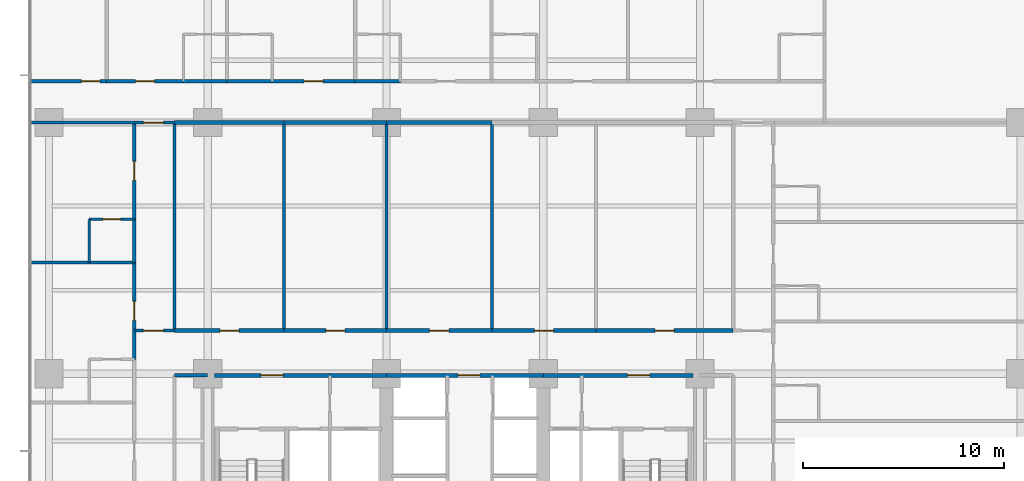
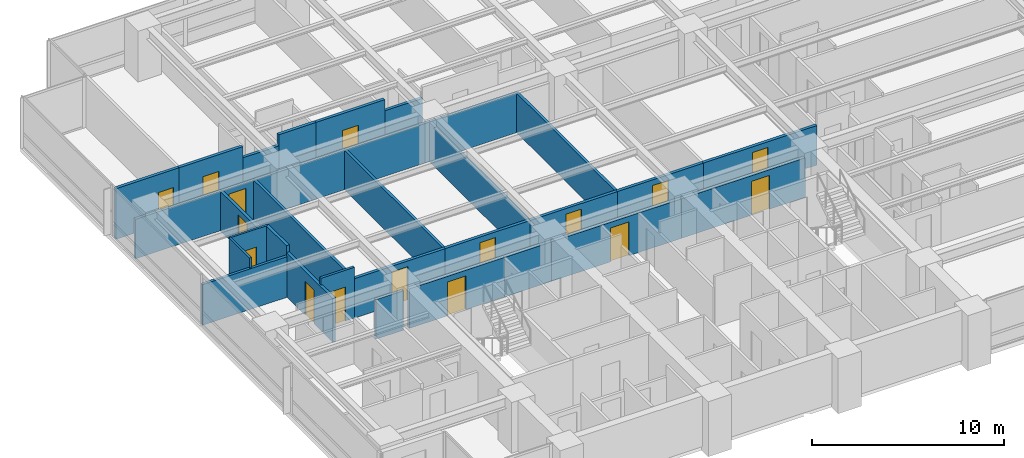
# One storey, part 9 of 16: 32 walls, 16 doors, 16 openings.
"""IFC4 building model written with IfcOpenShell, lengths in metres."""

from ifc_helpers import new_model, si_unit, direction, frame, frame_2d, origin, place, context, subcontext, project, spatial, rectangle, extrude, material, layer, layer_set, type_object, element, fill, save


model = new_model("IFC4")

# Units and contexts
model_context = context("Model", 3, precision=1e-05, world=origin(), true_north=direction((0.0, 1.0)))
body_context = subcontext(model_context, "Body", "Model", "MODEL_VIEW")
ifc_project = project(units=[si_unit("LENGTHUNIT", "METRE"), si_unit("AREAUNIT", "SQUARE_METRE"), si_unit("VOLUMEUNIT", "CUBIC_METRE"), si_unit("PLANEANGLEUNIT", "RADIAN"), si_unit("MASSUNIT", "GRAM", prefix="KILO")], contexts=[model_context])

# Site, building, storey
site_placement = place(None, origin())
site = spatial("IfcSite", under=ifc_project, at=site_placement, CompositionType="ELEMENT")
building_placement = place(site_placement, origin())
building = spatial("IfcBuilding", under=site, at=building_placement, Name="Qalmaran Belvedere Hotel", CompositionType="ELEMENT")
storey_placement = place(building_placement, frame((0.0, 0.0, 36.89990234375)))
storey = spatial("IfcBuildingStorey", under=building, at=storey_placement, Name="L08", CompositionType="ELEMENT", Elevation=36.89990234375)

# Wall, opening, door
ifc_material_1 = material(Name="Moisture-Resistant Gypsum")
ifc_layer_1 = layer(ifc_material_1, 0.1201171875, Name="Moisture-Resistant Gypsum")
ifc_layer_set_1 = layer_set([ifc_layer_1], Name="Moisture-Resistant Gypsum")
wall_type_1 = type_object("IfcWallType", Name="WL-INT-120-BATH", PredefinedType="PARTITIONING", material=ifc_layer_set_1)
wall_1_placement = place(storey_placement, frame((14.39990234375, 28.183349609375, 0.0), z_axis=(0.0, 0.0, 1.0), x_axis=(1.0, 0.0, 0.0)))
wall_1 = element("IfcWall", 1, at=wall_1_placement, inside=storey, type_object=wall_type_1, Name="L08 Partition WL-L08-WBN02", PredefinedType="PARTITIONING", context=body_context, shape_type="SweptSolid", body=[
    extrude(rectangle(XDim=2.25, YDim=0.1201171875, at=frame_2d((1.125, 0.0))), origin(), (0.0, 0.0, 1.0), 3.22021484375),
])
opening_1_placement = place(wall_1_placement, frame((1.56494140625, 0.0, 0.0), z_axis=(0.0, 0.0, 1.0), x_axis=(-1.0, 0.0, 0.0)))
opening_1 = element("IfcOpeningElement", 2, at=opening_1_placement, cuts=wall_1, Name="Opening D-BATH", PredefinedType="OPENING", context=body_context, shape_type="SweptSolid", body=[
    extrude(rectangle(XDim=0.8798828125, YDim=2.080078125, at=frame_2d((0.43994140625, 1.0400390625))), frame((0.0, 0.070068359375, 0.0), z_axis=(0.0, -1.0, 0.0), x_axis=(1.0, 0.0, 0.0)), (0.0, 0.0, 1.0), 0.14013671875),
])
ifc_material_2 = material(Name="Engineered Oak Veneer")
door_type_1 = type_object("IfcDoorType", Name="DR-INT-BATH-880X2080", OperationType="NOTDEFINED", PredefinedType="DOOR", material=ifc_material_2)
door_1_placement = place(opening_1_placement, origin())
door_1 = element("IfcDoor", 3, at=door_1_placement, inside=storey, type_object=door_type_1, Name="L08 W Ensuite Door 03", OperationType="SINGLE_SWING_RIGHT", OverallHeight=2.080078125, OverallWidth=0.8798828125, PredefinedType="DOOR", context=body_context, shape_type="SweptSolid", body=[
    extrude(rectangle(XDim=0.8798828125, YDim=2.080078125, at=frame_2d((0.43994140625, 1.0400390625))), frame((0.0, 0.02490234375, 0.0), z_axis=(0.0, -1.0, 0.0), x_axis=(1.0, 0.0, 0.0)), (0.0, 0.0, 1.0), 0.050048828125),
])
fill(opening_1, door_1)

# Wall
wall_2_placement = place(storey_placement, frame((14.39990234375, 26.033203125, 0.0), z_axis=(0.0, 0.0, 1.0), x_axis=(0.0, 1.0, 0.0)))
element("IfcWall", 4, at=wall_2_placement, inside=storey, type_object=wall_type_1, Name="L08 Partition WL-L08-WBS02", PredefinedType="PARTITIONING", context=body_context, shape_type="SweptSolid", body=[
    extrude(rectangle(XDim=2.150146484375, YDim=0.1201171875, at=frame_2d((1.0751953125, 0.0))), origin(), (0.0, 0.0, 1.0), 3.22021484375),
])

# Wall, opening, door
ifc_material_3 = material(Name="Gypsum Stud Partition")
ifc_layer_2 = layer(ifc_material_3, 0.14990234375, Name="Gypsum Stud Partition")
ifc_layer_set_2 = layer_set([ifc_layer_2], Name="Gypsum Stud Partition")
wall_type_2 = type_object("IfcWallType", Name="WL-INT-150-EI60", PredefinedType="PARTITIONING", material=ifc_layer_set_2)
wall_3_placement = place(storey_placement, frame((16.64990234375, 22.64990234375, 0.0), z_axis=(0.0, 0.0, 1.0), x_axis=(1.0, 0.0, 0.0)))
wall_3 = element("IfcWall", 5, at=wall_3_placement, inside=storey, type_object=wall_type_2, Name="L08 Partition WL-L08-XCW1", PredefinedType="PARTITIONING", context=body_context, shape_type="SweptSolid", body=[
    extrude(rectangle(XDim=2.0, YDim=0.14990234375, at=frame_2d((1.0, 0.0))), origin(), (0.0, 0.0, 1.0), 3.22021484375),
])
opening_2_placement = place(wall_3_placement, frame((0.449951171875, 0.0, 0.0)))
opening_2 = element("IfcOpeningElement", 6, at=opening_2_placement, cuts=wall_3, Name="Opening FD90B", PredefinedType="OPENING", context=body_context, shape_type="SweptSolid", body=[
    extrude(rectangle(XDim=1.0, YDim=2.14990234375, at=frame_2d((0.5, 1.074951171875))), frame((0.0, 0.0849609375, 0.0), z_axis=(0.0, -1.0, 0.0), x_axis=(1.0, 0.0, 0.0)), (0.0, 0.0, 1.0), 0.169921875),
])
ifc_material_4 = material(Name="Steel S355JR", Category="steel")
door_type_2 = type_object("IfcDoorType", Name="DR-FD90B-1000X2150", OperationType="NOTDEFINED", PredefinedType="DOOR", material=ifc_material_4)
door_2_placement = place(opening_2_placement, origin())
door_2 = element("IfcDoor", 7, at=door_2_placement, inside=storey, type_object=door_type_2, Name="L08 West Corridor Smoke Door S", OperationType="SINGLE_SWING_LEFT", OverallHeight=2.14990234375, OverallWidth=1.0, PredefinedType="DOOR", context=body_context, shape_type="SweptSolid", body=[
    extrude(rectangle(XDim=1.0, YDim=2.14990234375, at=frame_2d((0.5, 1.074951171875))), frame((0.0, 0.02490234375, 0.0), z_axis=(0.0, -1.0, 0.0), x_axis=(1.0, 0.0, 0.0)), (0.0, 0.0, 1.0), 0.050048828125),
])
fill(opening_2, door_2)

wall_4_placement = place(storey_placement, frame((16.64990234375, 33.0, 0.0), z_axis=(0.0, 0.0, 1.0), x_axis=(1.0, 0.0, 0.0)))
wall_4 = element("IfcWall", 8, at=wall_4_placement, inside=storey, type_object=wall_type_2, Name="L08 Partition WL-L08-XCW2", PredefinedType="PARTITIONING", context=body_context, shape_type="SweptSolid", body=[
    extrude(rectangle(XDim=2.0, YDim=0.14990234375, at=frame_2d((1.0, 0.0))), origin(), (0.0, 0.0, 1.0), 2.510009765625),
])
opening_3_placement = place(wall_4_placement, frame((0.449951171875, 0.0, 0.0)))
opening_3 = element("IfcOpeningElement", 9, at=opening_3_placement, cuts=wall_4, Name="Opening FD90B", PredefinedType="OPENING", context=body_context, shape_type="SweptSolid", body=[
    extrude(rectangle(XDim=1.0, YDim=2.14990234375, at=frame_2d((0.5, 1.074951171875))), frame((0.0, 0.0849609375, 0.0), z_axis=(0.0, -1.0, 0.0), x_axis=(1.0, 0.0, 0.0)), (0.0, 0.0, 1.0), 0.169921875),
])
door_3_placement = place(opening_3_placement, origin())
door_3 = element("IfcDoor", 10, at=door_3_placement, inside=storey, type_object=door_type_2, Name="L08 West Corridor Smoke Door N", OperationType="SINGLE_SWING_RIGHT", OverallHeight=2.14990234375, OverallWidth=1.0, PredefinedType="DOOR", context=body_context, shape_type="SweptSolid", body=[
    extrude(rectangle(XDim=1.0, YDim=2.14990234375, at=frame_2d((0.5, 1.074951171875))), frame((0.0, 0.02490234375, 0.0), z_axis=(0.0, -1.0, 0.0), x_axis=(1.0, 0.0, 0.0)), (0.0, 0.0, 1.0), 0.050048828125),
])
fill(opening_3, door_3)

# Walls
ifc_layer_3 = layer(ifc_material_3, 0.159912109375, Name="Gypsum Stud Partition")
ifc_layer_set_3 = layer_set([ifc_layer_3], Name="Gypsum Stud Partition")
wall_type_3 = type_object("IfcWallType", Name="WL-INT-160-EI60", PredefinedType="PARTITIONING", material=ifc_layer_set_3)
wall_5_placement = place(storey_placement, frame((18.64990234375, 20.419921875, 0.0), z_axis=(0.0, 0.0, 1.0), x_axis=(1.0, 0.0, 0.0)))
element("IfcWall", 11, at=wall_5_placement, inside=storey, type_object=wall_type_3, Name="L08 Partition WL-L08-WCLN", PredefinedType="PARTITIONING", context=body_context, shape_type="SweptSolid", body=[
    extrude(rectangle(XDim=1.650146484375, YDim=0.159912109375, at=frame_2d((0.8251953125, 0.0))), origin(), (0.0, 0.0, 1.0), 2.510009765625),
])
for number, where, z_axis, x_axis, name in (
    (12, (18.64990234375, 22.64990234375, 0.0), (0.0, 0.0, 1.0), (0.0, 1.0, 0.0), "L08 Partition WL-L08-MIDVL"),
    (13, (24.10009765625, 22.64990234375, 0.0), (0.0, 0.0, 1.0), (0.0, 1.0, 0.0), "L08 Partition WL-L08-MIDVR1"),
    (14, (29.199951171875, 22.64990234375, 0.0), (0.0, 0.0, 1.0), (0.0, 1.0, 0.0), "L08 Partition WL-L08-MIDVR2"),
    (15, (34.449951171875, 22.64990234375, 0.0), (0.0, 0.0, 1.0), (0.0, 1.0, 0.0), "L08 Partition WL-L08-MIDVR3"),
):
    element("IfcWall", number, at=place(storey_placement, frame(where, z_axis=z_axis, x_axis=x_axis)), inside=storey, type_object=wall_type_3, Name=name, PredefinedType="PARTITIONING", context=body_context, shape_type="SweptSolid", body=[
        extrude(rectangle(XDim=10.35009765625, YDim=0.159912109375, at=frame_2d((5.175048828125, 0.0))), origin(), (0.0, 0.0, 1.0), 2.510009765625),
    ])
wall_6_placement = place(storey_placement, frame((11.469970703125, 26.033203125, 0.0), z_axis=(0.0, 0.0, 1.0), x_axis=(1.0, 0.0, 0.0)))
element("IfcWall", 16, at=wall_6_placement, inside=storey, type_object=wall_type_3, Name="L08 Partition WL-L08-WU01", PredefinedType="PARTITIONING", context=body_context, shape_type="SweptSolid", body=[
    extrude(rectangle(XDim=5.179931640625, YDim=0.159912109375, at=frame_2d((2.58984375, 0.0))), origin(), (0.0, 0.0, 1.0), 2.5830078125),
])
wall_7_placement = place(storey_placement, frame((11.469970703125, 33.0, 0.0), z_axis=(0.0, 0.0, 1.0), x_axis=(1.0, 0.0, 0.0)))
element("IfcWall", 17, at=wall_7_placement, inside=storey, type_object=wall_type_3, Name="L08 Partition WL-L08-WU02", PredefinedType="PARTITIONING", context=body_context, shape_type="SweptSolid", body=[
    extrude(rectangle(XDim=5.179931640625, YDim=0.159912109375, at=frame_2d((2.58984375, 0.0))), origin(), (0.0, 0.0, 1.0), 2.510009765625),
])

# Wall, opening, door
ifc_layer_4 = layer(ifc_material_3, 0.179931640625, Name="Gypsum Stud Partition")
ifc_layer_set_4 = layer_set([ifc_layer_4], Name="Gypsum Stud Partition")
wall_type_4 = type_object("IfcWallType", Name="WL-INT-180-EI60", PredefinedType="PARTITIONING", material=ifc_layer_set_4)
wall_8_placement = place(storey_placement, frame((18.64990234375, 22.64990234375, 0.0), z_axis=(0.0, 0.0, 1.0), x_axis=(1.0, 0.0, 0.0)))
wall_8 = element("IfcWall", 18, at=wall_8_placement, inside=storey, type_object=wall_type_4, Name="L08 Partition WL-L08-MIDD1", PredefinedType="PARTITIONING", context=body_context, shape_type="SweptSolid", body=[
    extrude(rectangle(XDim=5.4501953125, YDim=0.179931640625, at=frame_2d((2.72509765625, 0.0))), origin(), (0.0, 0.0, 1.0), 2.510009765625),
])
opening_4_placement = place(wall_8_placement, frame((2.25, 0.0, 0.0)))
opening_4 = element("IfcOpeningElement", 19, at=opening_4_placement, cuts=wall_8, Name="Opening FD60", PredefinedType="OPENING", context=body_context, shape_type="SweptSolid", body=[
    extrude(rectangle(XDim=0.949951171875, YDim=2.14990234375, at=frame_2d((0.47509765625, 1.074951171875))), frame((0.0, 0.10009765625, 0.0), z_axis=(0.0, -1.0, 0.0), x_axis=(1.0, 0.0, 0.0)), (0.0, 0.0, 1.0), 0.199951171875),
])
door_type_3 = type_object("IfcDoorType", Name="DR-FD60-950X2150", OperationType="NOTDEFINED", PredefinedType="DOOR", material=ifc_material_2)
door_4_placement = place(opening_4_placement, origin())
door_4 = element("IfcDoor", 20, at=door_4_placement, inside=storey, type_object=door_type_3, Name="L08 Housekeeping and Linen Room Door", OperationType="SINGLE_SWING_LEFT", OverallHeight=2.14990234375, OverallWidth=0.949951171875, PredefinedType="DOOR", context=body_context, shape_type="SweptSolid", body=[
    extrude(rectangle(XDim=0.949951171875, YDim=2.14990234375, at=frame_2d((0.47509765625, 1.074951171875))), frame((0.0, 0.02490234375, 0.0), z_axis=(0.0, -1.0, 0.0), x_axis=(1.0, 0.0, 0.0)), (0.0, 0.0, 1.0), 0.050048828125),
])
fill(opening_4, door_4)

# Wall
wall_9_placement = place(storey_placement, frame((18.64990234375, 33.0, 0.0), z_axis=(0.0, 0.0, 1.0), x_axis=(1.0, 0.0, 0.0)))
element("IfcWall", 21, at=wall_9_placement, inside=storey, type_object=wall_type_4, Name="L08 Partition WL-L08-MIDO1", PredefinedType="PARTITIONING", context=body_context, shape_type="SweptSolid", body=[
    extrude(rectangle(XDim=5.4501953125, YDim=0.179931640625, at=frame_2d((2.72509765625, 0.0))), origin(), (0.0, 0.0, 1.0), 2.510009765625),
])

# Wall, opening, door
wall_10_placement = place(storey_placement, frame((24.10009765625, 22.64990234375, 0.0), z_axis=(0.0, 0.0, 1.0), x_axis=(1.0, 0.0, 0.0)))
wall_10 = element("IfcWall", 22, at=wall_10_placement, inside=storey, type_object=wall_type_4, Name="L08 Partition WL-L08-MIDD2", PredefinedType="PARTITIONING", context=body_context, shape_type="SweptSolid", body=[
    extrude(rectangle(XDim=5.099853515625, YDim=0.179931640625, at=frame_2d((2.5498046875, 0.0))), origin(), (0.0, 0.0, 1.0), 2.510009765625),
])
opening_5_placement = place(wall_10_placement, frame((2.074951171875, 0.0, 0.0)))
opening_5 = element("IfcOpeningElement", 23, at=opening_5_placement, cuts=wall_10, Name="Opening FD60", PredefinedType="OPENING", context=body_context, shape_type="SweptSolid", body=[
    extrude(rectangle(XDim=0.949951171875, YDim=2.14990234375, at=frame_2d((0.47509765625, 1.074951171875))), frame((0.0, 0.10009765625, 0.0), z_axis=(0.0, -1.0, 0.0), x_axis=(1.0, 0.0, 0.0)), (0.0, 0.0, 1.0), 0.199951171875),
])
door_5_placement = place(opening_5_placement, origin())
door_5 = element("IfcDoor", 24, at=door_5_placement, inside=storey, type_object=door_type_3, Name="L08 Yoga Spa Door", OperationType="SINGLE_SWING_RIGHT", OverallHeight=2.14990234375, OverallWidth=0.949951171875, PredefinedType="DOOR", context=body_context, shape_type="SweptSolid", body=[
    extrude(rectangle(XDim=0.949951171875, YDim=2.14990234375, at=frame_2d((0.47509765625, 1.074951171875))), frame((0.0, 0.02490234375, 0.0), z_axis=(0.0, -1.0, 0.0), x_axis=(1.0, 0.0, 0.0)), (0.0, 0.0, 1.0), 0.050048828125),
])
fill(opening_5, door_5)

# Wall
wall_11_placement = place(storey_placement, frame((24.10009765625, 33.0, 0.0), z_axis=(0.0, 0.0, 1.0), x_axis=(1.0, 0.0, 0.0)))
element("IfcWall", 25, at=wall_11_placement, inside=storey, type_object=wall_type_4, Name="L08 Partition WL-L08-MIDO2", PredefinedType="PARTITIONING", context=body_context, shape_type="SweptSolid", body=[
    extrude(rectangle(XDim=5.099853515625, YDim=0.179931640625, at=frame_2d((2.5498046875, 0.0))), origin(), (0.0, 0.0, 1.0), 2.510009765625),
])

# Wall, opening, door
wall_12_placement = place(storey_placement, frame((29.199951171875, 22.64990234375, 0.0), z_axis=(0.0, 0.0, 1.0), x_axis=(1.0, 0.0, 0.0)))
wall_12 = element("IfcWall", 26, at=wall_12_placement, inside=storey, type_object=wall_type_4, Name="L08 Partition WL-L08-MIDD3", PredefinedType="PARTITIONING", context=body_context, shape_type="SweptSolid", body=[
    extrude(rectangle(XDim=5.25, YDim=0.179931640625, at=frame_2d((2.625, 0.0))), origin(), (0.0, 0.0, 1.0), 2.510009765625),
])
opening_6_placement = place(wall_12_placement, frame((2.14990234375, 0.0, 0.0)))
opening_6 = element("IfcOpeningElement", 27, at=opening_6_placement, cuts=wall_12, Name="Opening FD60", PredefinedType="OPENING", context=body_context, shape_type="SweptSolid", body=[
    extrude(rectangle(XDim=0.949951171875, YDim=2.14990234375, at=frame_2d((0.47509765625, 1.074951171875))), frame((0.0, 0.10009765625, 0.0), z_axis=(0.0, -1.0, 0.0), x_axis=(1.0, 0.0, 0.0)), (0.0, 0.0, 1.0), 0.199951171875),
])
door_6_placement = place(opening_6_placement, origin())
door_6 = element("IfcDoor", 28, at=door_6_placement, inside=storey, type_object=door_type_3, Name="L08 Fitness Gym Door", OperationType="SINGLE_SWING_LEFT", OverallHeight=2.14990234375, OverallWidth=0.949951171875, PredefinedType="DOOR", context=body_context, shape_type="SweptSolid", body=[
    extrude(rectangle(XDim=0.949951171875, YDim=2.14990234375, at=frame_2d((0.47509765625, 1.074951171875))), frame((0.0, 0.02490234375, 0.0), z_axis=(0.0, -1.0, 0.0), x_axis=(1.0, 0.0, 0.0)), (0.0, 0.0, 1.0), 0.050048828125),
])
fill(opening_6, door_6)

# Wall
wall_13_placement = place(storey_placement, frame((29.199951171875, 33.0, 0.0), z_axis=(0.0, 0.0, 1.0), x_axis=(1.0, 0.0, 0.0)))
element("IfcWall", 29, at=wall_13_placement, inside=storey, type_object=wall_type_4, Name="L08 Partition WL-L08-MIDO3", PredefinedType="PARTITIONING", context=body_context, shape_type="SweptSolid", body=[
    extrude(rectangle(XDim=5.25, YDim=0.179931640625, at=frame_2d((2.625, 0.0))), origin(), (0.0, 0.0, 1.0), 2.510009765625),
])

# Wall, opening, door
wall_14_placement = place(storey_placement, frame((34.449951171875, 22.64990234375, 0.0), z_axis=(0.0, 0.0, 1.0), x_axis=(1.0, 0.0, 0.0)))
wall_14 = element("IfcWall", 30, at=wall_14_placement, inside=storey, type_object=wall_type_4, Name="L08 Partition WL-L08-MIDD4", PredefinedType="PARTITIONING", context=body_context, shape_type="SweptSolid", body=[
    extrude(rectangle(XDim=5.175048828125, YDim=0.179931640625, at=frame_2d((2.58740234375, 0.0))), origin(), (0.0, 0.0, 1.0), 2.510009765625),
])
opening_7_placement = place(wall_14_placement, frame((2.112548828125, 0.0, 0.0)))
opening_7 = element("IfcOpeningElement", 31, at=opening_7_placement, cuts=wall_14, Name="Opening FD60", PredefinedType="OPENING", context=body_context, shape_type="SweptSolid", body=[
    extrude(rectangle(XDim=0.949951171875, YDim=2.14990234375, at=frame_2d((0.47509765625, 1.074951171875))), frame((0.0, 0.10009765625, 0.0), z_axis=(0.0, -1.0, 0.0), x_axis=(1.0, 0.0, 0.0)), (0.0, 0.0, 1.0), 0.199951171875),
])
door_7_placement = place(opening_7_placement, origin())
door_7 = element("IfcDoor", 32, at=door_7_placement, inside=storey, type_object=door_type_3, Name="L08 Pilates Spa Door", OperationType="SINGLE_SWING_RIGHT", OverallHeight=2.14990234375, OverallWidth=0.949951171875, PredefinedType="DOOR", context=body_context, shape_type="SweptSolid", body=[
    extrude(rectangle(XDim=0.949951171875, YDim=2.14990234375, at=frame_2d((0.47509765625, 1.074951171875))), frame((0.0, 0.02490234375, 0.0), z_axis=(0.0, -1.0, 0.0), x_axis=(1.0, 0.0, 0.0)), (0.0, 0.0, 1.0), 0.050048828125),
])
fill(opening_7, door_7)

wall_15_placement = place(storey_placement, frame((39.625, 22.64990234375, 0.0), z_axis=(0.0, 0.0, 1.0), x_axis=(1.0, 0.0, 0.0)))
wall_15 = element("IfcWall", 33, at=wall_15_placement, inside=storey, type_object=wall_type_4, Name="L08 Partition WL-L08-MIDD5", PredefinedType="PARTITIONING", context=body_context, shape_type="SweptSolid", body=[
    extrude(rectangle(XDim=6.824951171875, YDim=0.179931640625, at=frame_2d((3.41259765625, 0.0))), origin(), (0.0, 0.0, 1.0), 2.510009765625),
])
opening_8_placement = place(wall_15_placement, frame((2.9375, 0.0, 0.0)))
opening_8 = element("IfcOpeningElement", 34, at=opening_8_placement, cuts=wall_15, Name="Opening FD60", PredefinedType="OPENING", context=body_context, shape_type="SweptSolid", body=[
    extrude(rectangle(XDim=0.949951171875, YDim=2.14990234375, at=frame_2d((0.47509765625, 1.074951171875))), frame((0.0, 0.10009765625, 0.0), z_axis=(0.0, -1.0, 0.0), x_axis=(1.0, 0.0, 0.0)), (0.0, 0.0, 1.0), 0.199951171875),
])
door_8_placement = place(opening_8_placement, origin())
door_8 = element("IfcDoor", 35, at=door_8_placement, inside=storey, type_object=door_type_3, Name="L08 Thermal Spa Door", OperationType="SINGLE_SWING_LEFT", OverallHeight=2.14990234375, OverallWidth=0.949951171875, PredefinedType="DOOR", context=body_context, shape_type="SweptSolid", body=[
    extrude(rectangle(XDim=0.949951171875, YDim=2.14990234375, at=frame_2d((0.47509765625, 1.074951171875))), frame((0.0, 0.02490234375, 0.0), z_axis=(0.0, -1.0, 0.0), x_axis=(1.0, 0.0, 0.0)), (0.0, 0.0, 1.0), 0.050048828125),
])
fill(opening_8, door_8)

# Wall
wall_16_placement = place(storey_placement, frame((19.096435546875, 35.050048828125, 0.0), z_axis=(0.0, 0.0, 1.0), x_axis=(1.0, 0.0, 0.0)))
element("IfcWall", 36, at=wall_16_placement, inside=storey, type_object=wall_type_4, Name="L08 Partition WL-L08-NBC00", PredefinedType="PARTITIONING", context=body_context, shape_type="SweptSolid", body=[
    extrude(rectangle(XDim=2.16015625, YDim=0.179931640625, at=frame_2d((1.080078125, 0.0))), origin(), (0.0, 0.0, 1.0), 2.510009765625),
])

# Wall, opening, door
wall_17_placement = place(storey_placement, frame((15.27001953125, 35.050048828125, 0.0), z_axis=(0.0, 0.0, 1.0), x_axis=(1.0, 0.0, 0.0)))
wall_17 = element("IfcWall", 37, at=wall_17_placement, inside=storey, type_object=wall_type_4, Name="L08 Partition WL-L08-NEC00", PredefinedType="PARTITIONING", context=body_context, shape_type="SweptSolid", body=[
    extrude(rectangle(XDim=3.826416015625, YDim=0.179931640625, at=frame_2d((1.9130859375, 0.0))), origin(), (0.0, 0.0, 1.0), 3.22021484375),
])
opening_9_placement = place(wall_17_placement, frame((1.438232421875, 0.0, 0.0)))
opening_9 = element("IfcOpeningElement", 38, at=opening_9_placement, cuts=wall_17, Name="Opening FD60", PredefinedType="OPENING", context=body_context, shape_type="SweptSolid", body=[
    extrude(rectangle(XDim=0.949951171875, YDim=2.14990234375, at=frame_2d((0.47509765625, 1.074951171875))), frame((0.0, 0.10009765625, 0.0), z_axis=(0.0, -1.0, 0.0), x_axis=(1.0, 0.0, 0.0)), (0.0, 0.0, 1.0), 0.199951171875),
])
door_9_placement = place(opening_9_placement, origin())
door_9 = element("IfcDoor", 39, at=door_9_placement, inside=storey, type_object=door_type_3, Name="L08 Guest Entrance Door N01", OperationType="SINGLE_SWING_LEFT", OverallHeight=2.14990234375, OverallWidth=0.949951171875, PredefinedType="DOOR", context=body_context, shape_type="SweptSolid", body=[
    extrude(rectangle(XDim=0.949951171875, YDim=2.14990234375, at=frame_2d((0.47509765625, 1.074951171875))), frame((0.0, 0.02490234375, 0.0), z_axis=(0.0, -1.0, 0.0), x_axis=(1.0, 0.0, 0.0)), (0.0, 0.0, 1.0), 0.050048828125),
])
fill(opening_9, door_9)

# Wall
wall_18_placement = place(storey_placement, frame((21.256591796875, 35.050048828125, 0.0), z_axis=(0.0, 0.0, 1.0), x_axis=(1.0, 0.0, 0.0)))
element("IfcWall", 40, at=wall_18_placement, inside=storey, type_object=wall_type_4, Name="L08 Partition WL-L08-NBC01", PredefinedType="PARTITIONING", context=body_context, shape_type="SweptSolid", body=[
    extrude(rectangle(XDim=2.25, YDim=0.179931640625, at=frame_2d((1.125, 0.0))), origin(), (0.0, 0.0, 1.0), 3.22021484375),
])

# Wall, opening, door
wall_19_placement = place(storey_placement, frame((23.506591796875, 35.050048828125, 0.0), z_axis=(0.0, 0.0, 1.0), x_axis=(1.0, 0.0, 0.0)))
wall_19 = element("IfcWall", 41, at=wall_19_placement, inside=storey, type_object=wall_type_4, Name="L08 Partition WL-L08-NEC01", PredefinedType="PARTITIONING", context=body_context, shape_type="SweptSolid", body=[
    extrude(rectangle(XDim=4.135498046875, YDim=0.179931640625, at=frame_2d((2.06787109375, 0.0))), origin(), (0.0, 0.0, 1.0), 3.22021484375),
])
opening_10_placement = place(wall_19_placement, frame((1.5927734375, 0.0, 0.0)))
opening_10 = element("IfcOpeningElement", 42, at=opening_10_placement, cuts=wall_19, Name="Opening FD60", PredefinedType="OPENING", context=body_context, shape_type="SweptSolid", body=[
    extrude(rectangle(XDim=0.949951171875, YDim=2.14990234375, at=frame_2d((0.47509765625, 1.074951171875))), frame((0.0, 0.10009765625, 0.0), z_axis=(0.0, -1.0, 0.0), x_axis=(1.0, 0.0, 0.0)), (0.0, 0.0, 1.0), 0.199951171875),
])
door_10_placement = place(opening_10_placement, origin())
door_10 = element("IfcDoor", 43, at=door_10_placement, inside=storey, type_object=door_type_3, Name="L08 Guest Entrance Door N02", OperationType="SINGLE_SWING_LEFT", OverallHeight=2.14990234375, OverallWidth=0.949951171875, PredefinedType="DOOR", context=body_context, shape_type="SweptSolid", body=[
    extrude(rectangle(XDim=0.949951171875, YDim=2.14990234375, at=frame_2d((0.47509765625, 1.074951171875))), frame((0.0, 0.02490234375, 0.0), z_axis=(0.0, -1.0, 0.0), x_axis=(1.0, 0.0, 0.0)), (0.0, 0.0, 1.0), 0.050048828125),
])
fill(opening_10, door_10)

# Wall
wall_20_placement = place(storey_placement, frame((27.64208984375, 35.050048828125, 0.0), z_axis=(0.0, 0.0, 1.0), x_axis=(1.0, 0.0, 0.0)))
element("IfcWall", 44, at=wall_20_placement, inside=storey, type_object=wall_type_4, Name="L08 Partition WL-L08-NBC02", PredefinedType="PARTITIONING", context=body_context, shape_type="SweptSolid", body=[
    extrude(rectangle(XDim=2.25, YDim=0.179931640625, at=frame_2d((1.125, 0.0))), origin(), (0.0, 0.0, 1.0), 2.510009765625),
])

# Wall, opening, door
wall_21_placement = place(storey_placement, frame((16.64990234375, 21.216796875, 0.0), z_axis=(0.0, 0.0, 1.0), x_axis=(0.0, 1.0, 0.0)))
wall_21 = element("IfcWall", 45, at=wall_21_placement, inside=storey, type_object=wall_type_4, Name="L08 Partition WL-L08-WEC01", PredefinedType="PARTITIONING", context=body_context, shape_type="SweptSolid", body=[
    extrude(rectangle(XDim=4.81640625, YDim=0.179931640625, at=frame_2d((2.408203125, 0.0))), origin(), (0.0, 0.0, 1.0), 2.7880859375),
])
opening_11_placement = place(wall_21_placement, frame((1.933349609375, 0.0, 0.0)))
opening_11 = element("IfcOpeningElement", 46, at=opening_11_placement, cuts=wall_21, Name="Opening FD60", PredefinedType="OPENING", context=body_context, shape_type="SweptSolid", body=[
    extrude(rectangle(XDim=0.949951171875, YDim=2.14990234375, at=frame_2d((0.47509765625, 1.074951171875))), frame((0.0, 0.10009765625, 0.0), z_axis=(0.0, -1.0, 0.0), x_axis=(1.0, 0.0, 0.0)), (0.0, 0.0, 1.0), 0.199951171875),
])
door_11_placement = place(opening_11_placement, origin())
door_11 = element("IfcDoor", 47, at=door_11_placement, inside=storey, type_object=door_type_3, Name="L08 W Wing Door 02", OperationType="SINGLE_SWING_LEFT", OverallHeight=2.14990234375, OverallWidth=0.949951171875, PredefinedType="DOOR", context=body_context, shape_type="SweptSolid", body=[
    extrude(rectangle(XDim=0.949951171875, YDim=2.14990234375, at=frame_2d((0.47509765625, 1.074951171875))), frame((0.0, 0.02490234375, 0.0), z_axis=(0.0, -1.0, 0.0), x_axis=(1.0, 0.0, 0.0)), (0.0, 0.0, 1.0), 0.050048828125),
])
fill(opening_11, door_11)

# Wall
wall_22_placement = place(storey_placement, frame((16.64990234375, 26.033203125, 0.0), z_axis=(0.0, 0.0, 1.0), x_axis=(0.0, 1.0, 0.0)))
element("IfcWall", 48, at=wall_22_placement, inside=storey, type_object=wall_type_4, Name="L08 Partition WL-L08-WBC02", PredefinedType="PARTITIONING", context=body_context, shape_type="SweptSolid", body=[
    extrude(rectangle(XDim=2.150146484375, YDim=0.179931640625, at=frame_2d((1.0751953125, 0.0))), origin(), (0.0, 0.0, 1.0), 3.22021484375),
])

# Wall, opening, door
wall_23_placement = place(storey_placement, frame((16.64990234375, 28.183349609375, 0.0), z_axis=(0.0, 0.0, 1.0), x_axis=(0.0, 1.0, 0.0)))
wall_23 = element("IfcWall", 49, at=wall_23_placement, inside=storey, type_object=wall_type_4, Name="L08 Partition WL-L08-WEC02", PredefinedType="PARTITIONING", context=body_context, shape_type="SweptSolid", body=[
    extrude(rectangle(XDim=4.816650390625, YDim=0.179931640625, at=frame_2d((2.408203125, 0.0))), origin(), (0.0, 0.0, 1.0), 2.510009765625),
])
opening_12_placement = place(wall_23_placement, frame((1.933349609375, 0.0, 0.0)))
opening_12 = element("IfcOpeningElement", 50, at=opening_12_placement, cuts=wall_23, Name="Opening FD60", PredefinedType="OPENING", context=body_context, shape_type="SweptSolid", body=[
    extrude(rectangle(XDim=0.949951171875, YDim=2.14990234375, at=frame_2d((0.47509765625, 1.074951171875))), frame((0.0, 0.10009765625, 0.0), z_axis=(0.0, -1.0, 0.0), x_axis=(1.0, 0.0, 0.0)), (0.0, 0.0, 1.0), 0.199951171875),
])
door_12_placement = place(opening_12_placement, origin())
door_12 = element("IfcDoor", 51, at=door_12_placement, inside=storey, type_object=door_type_3, Name="L08 W Wing Door 03", OperationType="SINGLE_SWING_LEFT", OverallHeight=2.14990234375, OverallWidth=0.949951171875, PredefinedType="DOOR", context=body_context, shape_type="SweptSolid", body=[
    extrude(rectangle(XDim=0.949951171875, YDim=2.14990234375, at=frame_2d((0.47509765625, 1.074951171875))), frame((0.0, 0.02490234375, 0.0), z_axis=(0.0, -1.0, 0.0), x_axis=(1.0, 0.0, 0.0)), (0.0, 0.0, 1.0), 0.050048828125),
])
fill(opening_12, door_12)

wall_24_placement = place(storey_placement, frame((11.469970703125, 35.050048828125, 0.0), z_axis=(0.0, 0.0, 1.0), x_axis=(1.0, 0.0, 0.0)))
wall_24 = element("IfcWall", 52, at=wall_24_placement, inside=storey, type_object=wall_type_4, Name="L08 Partition WL-L08-NWSD", PredefinedType="PARTITIONING", context=body_context, shape_type="SweptSolid", body=[
    extrude(rectangle(XDim=3.800048828125, YDim=0.179931640625, at=frame_2d((1.89990234375, 0.0))), origin(), (0.0, 0.0, 1.0), 3.22021484375),
])
opening_13_placement = place(wall_24_placement, frame((2.543701171875, 0.0, 0.0)))
opening_13 = element("IfcOpeningElement", 53, at=opening_13_placement, cuts=wall_24, Name="Opening FD60S1", PredefinedType="OPENING", context=body_context, shape_type="SweptSolid", body=[
    extrude(rectangle(XDim=0.919921875, YDim=2.080078125, at=frame_2d((0.4599609375, 1.0400390625))), frame((0.0, 0.10009765625, 0.0), z_axis=(0.0, -1.0, 0.0), x_axis=(1.0, 0.0, 0.0)), (0.0, 0.0, 1.0), 0.199951171875),
])
door_type_4 = type_object("IfcDoorType", Name="DR-FD60S-920X2080", OperationType="NOTDEFINED", PredefinedType="DOOR", material=ifc_material_2)
door_13_placement = place(opening_13_placement, origin())
door_13 = element("IfcDoor", 54, at=door_13_placement, inside=storey, type_object=door_type_4, Name="L08 NW Belvedere Study Door", OperationType="SINGLE_SWING_RIGHT", OverallHeight=2.080078125, OverallWidth=0.919921875, PredefinedType="DOOR", context=body_context, shape_type="SweptSolid", body=[
    extrude(rectangle(XDim=0.919921875, YDim=2.080078125, at=frame_2d((0.4599609375, 1.0400390625))), frame((0.0, 0.02490234375, 0.0), z_axis=(0.0, -1.0, 0.0), x_axis=(1.0, 0.0, 0.0)), (0.0, 0.0, 1.0), 0.050048828125),
])
fill(opening_13, door_13)

ifc_material_5 = material(Name="Concrete C30/37 Blockwork", Category="masonry")
ifc_layer_5 = layer(ifc_material_5, 0.199951171875, Name="Concrete C30/37 Blockwork")
ifc_layer_set_5 = layer_set([ifc_layer_5], Name="Concrete C30/37 Blockwork")
wall_type_5 = type_object("IfcWallType", Name="WL-INT-200-EI120", PredefinedType="PARTITIONING", material=ifc_layer_set_5)
wall_25_placement = place(storey_placement, frame((20.64990234375, 20.419921875, 0.0), z_axis=(0.0, 0.0, 1.0), x_axis=(1.0, 0.0, 0.0)))
wall_25 = element("IfcWall", 55, at=wall_25_placement, inside=storey, type_object=wall_type_5, Name="L08 Partition WL-CN1A-L08", PredefinedType="PARTITIONING", context=body_context, shape_type="SweptSolid", body=[
    extrude(rectangle(XDim=5.72998046875, YDim=0.199951171875, at=frame_2d((2.864990234375, 0.0))), origin(), (0.0, 0.0, 1.0), 2.510009765625),
])
opening_14_placement = place(wall_25_placement, frame((2.300048828125, 0.0, 0.0)))
opening_14 = element("IfcOpeningElement", 56, at=opening_14_placement, cuts=wall_25, Name="Opening FD90", PredefinedType="OPENING", context=body_context, shape_type="SweptSolid", body=[
    extrude(rectangle(XDim=1.10009765625, YDim=2.14990234375, at=frame_2d((0.550048828125, 1.074951171875))), frame((0.0, 0.10986328125, 0.0), z_axis=(0.0, -1.0, 0.0), x_axis=(1.0, 0.0, 0.0)), (0.0, 0.0, 1.0), 0.219970703125),
])
door_type_5 = type_object("IfcDoorType", Name="DR-FD90-1100X2150", OperationType="NOTDEFINED", PredefinedType="DOOR", material=ifc_material_4)
door_14_placement = place(opening_14_placement, origin())
door_14 = element("IfcDoor", 57, at=door_14_placement, inside=storey, type_object=door_type_5, Name="L08 FF1 Lobby Corridor Door", OperationType="SINGLE_SWING_LEFT", OverallHeight=2.14990234375, OverallWidth=1.10009765625, PredefinedType="DOOR", context=body_context, shape_type="SweptSolid", body=[
    extrude(rectangle(XDim=1.10009765625, YDim=2.14990234375, at=frame_2d((0.550048828125, 1.074951171875))), frame((0.0, 0.02490234375, 0.0), z_axis=(0.0, -1.0, 0.0), x_axis=(1.0, 0.0, 0.0)), (0.0, 0.0, 1.0), 0.050048828125),
])
fill(opening_14, door_14)

# Wall
wall_26_placement = place(storey_placement, frame((26.3798828125, 20.419921875, 0.0), z_axis=(0.0, 0.0, 1.0), x_axis=(1.0, 0.0, 0.0)))
element("IfcWall", 58, at=wall_26_placement, inside=storey, type_object=wall_type_5, Name="L08 Partition WL-CN1B-L08", PredefinedType="PARTITIONING", context=body_context, shape_type="SweptSolid", body=[
    extrude(rectangle(XDim=2.820068359375, YDim=0.199951171875, at=frame_2d((1.41015625, 0.0))), origin(), (0.0, 0.0, 1.0), 2.510009765625),
])

# Wall, opening, door
wall_27_placement = place(storey_placement, frame((29.199951171875, 20.419921875, 0.0), z_axis=(0.0, 0.0, 1.0), x_axis=(1.0, 0.0, 0.0)))
wall_27 = element("IfcWall", 59, at=wall_27_placement, inside=storey, type_object=wall_type_5, Name="L08 Partition WL-CN2-L08", PredefinedType="PARTITIONING", context=body_context, shape_type="SweptSolid", body=[
    extrude(rectangle(XDim=7.800048828125, YDim=0.199951171875, at=frame_2d((3.89990234375, 0.0))), origin(), (0.0, 0.0, 1.0), 2.510009765625),
])
opening_15_placement = place(wall_27_placement, frame((3.550048828125, 0.0, 0.0)))
opening_15 = element("IfcOpeningElement", 60, at=opening_15_placement, cuts=wall_27, Name="Opening FD90", PredefinedType="OPENING", context=body_context, shape_type="SweptSolid", body=[
    extrude(rectangle(XDim=1.10009765625, YDim=2.14990234375, at=frame_2d((0.550048828125, 1.074951171875))), frame((0.0, 0.10986328125, 0.0), z_axis=(0.0, -1.0, 0.0), x_axis=(1.0, 0.0, 0.0)), (0.0, 0.0, 1.0), 0.219970703125),
])
door_15_placement = place(opening_15_placement, origin())
door_15 = element("IfcDoor", 61, at=door_15_placement, inside=storey, type_object=door_type_5, Name="L08 Central Lift Lobby Door", OperationType="SINGLE_SWING_RIGHT", OverallHeight=2.14990234375, OverallWidth=1.10009765625, PredefinedType="DOOR", context=body_context, shape_type="SweptSolid", body=[
    extrude(rectangle(XDim=1.10009765625, YDim=2.14990234375, at=frame_2d((0.550048828125, 1.074951171875))), frame((0.0, 0.02490234375, 0.0), z_axis=(0.0, -1.0, 0.0), x_axis=(1.0, 0.0, 0.0)), (0.0, 0.0, 1.0), 0.050048828125),
])
fill(opening_15, door_15)

wall_28_placement = place(storey_placement, frame((37.0, 20.419921875, 0.0), z_axis=(0.0, 0.0, 1.0), x_axis=(1.0, 0.0, 0.0)))
wall_28 = element("IfcWall", 62, at=wall_28_placement, inside=storey, type_object=wall_type_5, Name="L08 Partition WL-CN3-L08", PredefinedType="PARTITIONING", context=body_context, shape_type="SweptSolid", body=[
    extrude(rectangle(XDim=7.449951171875, YDim=0.199951171875, at=frame_2d((3.72509765625, 0.0))), origin(), (0.0, 0.0, 1.0), 2.510009765625),
])
opening_16_placement = place(wall_28_placement, frame((4.199951171875, 0.0, 0.0)))
opening_16 = element("IfcOpeningElement", 63, at=opening_16_placement, cuts=wall_28, Name="Opening FD90", PredefinedType="OPENING", context=body_context, shape_type="SweptSolid", body=[
    extrude(rectangle(XDim=1.10009765625, YDim=2.14990234375, at=frame_2d((0.550048828125, 1.074951171875))), frame((0.0, 0.10986328125, 0.0), z_axis=(0.0, -1.0, 0.0), x_axis=(1.0, 0.0, 0.0)), (0.0, 0.0, 1.0), 0.219970703125),
])
door_16_placement = place(opening_16_placement, origin())
door_16 = element("IfcDoor", 64, at=door_16_placement, inside=storey, type_object=door_type_5, Name="L08 FF2 Lobby Corridor Door", OperationType="SINGLE_SWING_LEFT", OverallHeight=2.14990234375, OverallWidth=1.10009765625, PredefinedType="DOOR", context=body_context, shape_type="SweptSolid", body=[
    extrude(rectangle(XDim=1.10009765625, YDim=2.14990234375, at=frame_2d((0.550048828125, 1.074951171875))), frame((0.0, 0.02490234375, 0.0), z_axis=(0.0, -1.0, 0.0), x_axis=(1.0, 0.0, 0.0)), (0.0, 0.0, 1.0), 0.050048828125),
])
fill(opening_16, door_16)

save(model, "model.ifc")
